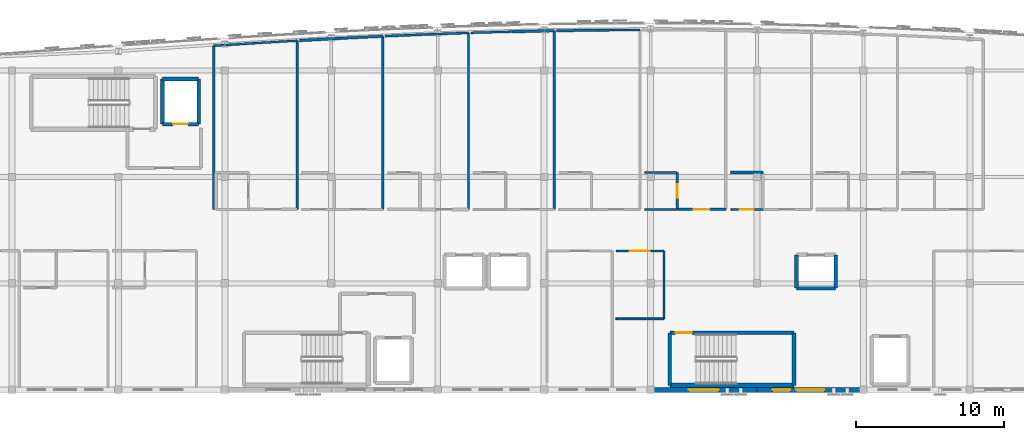
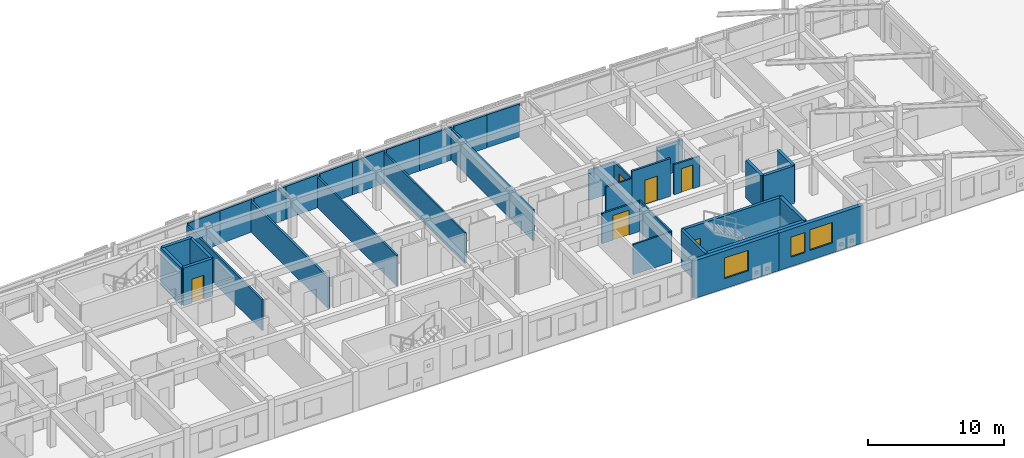
# One storey, part 29 of 34: 37 walls, 6 doors, 3 windows, 9 openings.
"""IFC4 building model written with IfcOpenShell, lengths in metres."""

from ifc_helpers import new_model, si_unit, direction, frame, frame_2d, origin, place, context, subcontext, project, spatial, rectangle, extrude, material, layer, layer_set, type_object, element, fill, save


model = new_model("IFC4")

# Units and contexts
model_context = context("Model", 3, precision=1e-05, world=origin(), true_north=direction((0.0, 1.0)))
body_context = subcontext(model_context, "Body", "Model", "MODEL_VIEW")
ifc_project = project(units=[si_unit("LENGTHUNIT", "METRE"), si_unit("AREAUNIT", "SQUARE_METRE"), si_unit("VOLUMEUNIT", "CUBIC_METRE"), si_unit("PLANEANGLEUNIT", "RADIAN"), si_unit("MASSUNIT", "GRAM", prefix="KILO")], contexts=[model_context])

# Site, building, storey
site_placement = place(None, origin())
site = spatial("IfcSite", under=ifc_project, at=site_placement, CompositionType="ELEMENT")
building_placement = place(site_placement, origin())
building = spatial("IfcBuilding", under=site, at=building_placement, Name="Carrowvane Square Congress Hotel", CompositionType="ELEMENT")
storey_placement = place(building_placement, frame((0.0, 0.0, 40.800048828125)))
storey = spatial("IfcBuildingStorey", under=building, at=storey_placement, Name="L10", CompositionType="ELEMENT", Elevation=40.800048828125)

# Wall, openings, windows
ifc_material_1 = material(Name="Glazed terracotta rainscreen", Category="masonry")
ifc_layer_1 = layer(ifc_material_1, 0.330078125)
ifc_layer_set_1 = layer_set([ifc_layer_1], Name="Glazed terracotta rainscreen")
wall_type_1 = type_object("IfcWallType", Name="WL-EXT-TC330", PredefinedType="STANDARD", material=ifc_layer_set_1)
wall_1_placement = place(storey_placement, frame((112.39990234375, 91.800048828125, 0.0), z_axis=(0.0, 0.0, 1.0), x_axis=(-1.0, 0.0, 0.0)))
wall_1 = element("IfcWall", 1, at=wall_1_placement, inside=storey, type_object=wall_type_1, Name="L10 exterior facade wall 590", PredefinedType="STANDARD", context=body_context, shape_type="SweptSolid", body=[
    extrude(rectangle(XDim=7.199951171875, YDim=0.330078125, at=frame_2d((3.60009765625, 0.0))), origin(), (0.0, 0.0, 1.0), 3.3798828125),
])
opening_1_placement = place(wall_1_placement, frame((2.64990234375, 0.0, 0.89990234375)))
opening_1 = element("IfcOpeningElement", 2, at=opening_1_placement, cuts=wall_1, Name="Opening W-25", PredefinedType="OPENING", context=body_context, shape_type="SweptSolid", body=[
    extrude(rectangle(XDim=1.89990234375, YDim=1.85009765625, at=frame_2d((0.949951171875, 0.925048828125))), frame((0.0, 0.175048828125, 0.0), z_axis=(0.0, -1.0, 0.0), x_axis=(1.0, 0.0, 0.0)), (0.0, 0.0, 1.0), 0.35009765625),
])
opening_2_placement = place(wall_1_placement, frame((4.949951171875, 0.0, 0.85009765625)))
opening_2 = element("IfcOpeningElement", 3, at=opening_2_placement, cuts=wall_1, Name="Opening W-01", PredefinedType="OPENING", context=body_context, shape_type="SweptSolid", body=[
    extrude(rectangle(XDim=1.199951171875, YDim=1.800048828125, at=frame_2d((0.60009765625, 0.89990234375))), frame((0.0, 0.175048828125, 0.0), z_axis=(0.0, -1.0, 0.0), x_axis=(1.0, 0.0, 0.0)), (0.0, 0.0, 1.0), 0.35009765625),
])
ifc_material_2 = material(Name="Double-glazed low-E glass", Category="glass")
window_type_1 = type_object("IfcWindowType", Name="WIN-01", PartitioningType="SINGLE_PANEL", PredefinedType="WINDOW", material=ifc_material_2)
window_1_placement = place(opening_2_placement, origin())
window_1 = element("IfcWindow", 4, at=window_1_placement, inside=storey, type_object=window_type_1, Name="L10 guest bedroom window 465", OverallHeight=1.800048828125, OverallWidth=1.199951171875, PartitioningType="SINGLE_PANEL", PredefinedType="WINDOW", context=body_context, shape_type="SweptSolid", body=[
    extrude(rectangle(XDim=1.199951171875, YDim=1.800048828125, at=frame_2d((0.60009765625, 0.89990234375))), frame((0.0, 0.030029296875, 0.0), z_axis=(0.0, -1.0, 0.0), x_axis=(1.0, 0.0, 0.0)), (0.0, 0.0, 1.0), 0.06005859375),
])
fill(opening_2, window_1)
ifc_material_3 = material(Name="Double-glazed low-E glass", Category="glass")
window_type_2 = type_object("IfcWindowType", Name="WIN-25", PartitioningType="SINGLE_PANEL", PredefinedType="WINDOW", material=ifc_material_3)
window_2_placement = place(opening_1_placement, origin())
window_2 = element("IfcWindow", 5, at=window_2_placement, inside=storey, type_object=window_type_2, Name="L10 facade window 464", OverallHeight=1.85009765625, OverallWidth=1.89990234375, PartitioningType="SINGLE_PANEL", PredefinedType="WINDOW", context=body_context, shape_type="SweptSolid", body=[
    extrude(rectangle(XDim=1.89990234375, YDim=1.85009765625, at=frame_2d((0.949951171875, 0.925048828125))), frame((0.0, 0.030029296875, 0.0), z_axis=(0.0, -1.0, 0.0), x_axis=(1.0, 0.0, 0.0)), (0.0, 0.0, 1.0), 0.06005859375),
])
fill(opening_1, window_2)

# Wall, opening, window
wall_2_placement = place(storey_placement, frame((105.199951171875, 91.800048828125, 0.0), z_axis=(0.0, 0.0, 1.0), x_axis=(-1.0, 0.0, 0.0)))
wall_2 = element("IfcWall", 6, at=wall_2_placement, inside=storey, type_object=wall_type_1, Name="L10 exterior facade wall 591", PredefinedType="STANDARD", context=body_context, shape_type="SweptSolid", body=[
    extrude(rectangle(XDim=7.199951171875, YDim=0.330078125, at=frame_2d((3.60009765625, 0.0))), origin(), (0.0, 0.0, 1.0), 3.3798828125),
])
opening_3_placement = place(wall_2_placement, frame((2.574951171875, 0.0, 0.89990234375)))
opening_3 = element("IfcOpeningElement", 7, at=opening_3_placement, cuts=wall_2, Name="Opening W-26", PredefinedType="OPENING", context=body_context, shape_type="SweptSolid", body=[
    extrude(rectangle(XDim=2.050048828125, YDim=1.85009765625, at=frame_2d((1.02490234375, 0.925048828125))), frame((0.0, 0.175048828125, 0.0), z_axis=(0.0, -1.0, 0.0), x_axis=(1.0, 0.0, 0.0)), (0.0, 0.0, 1.0), 0.35009765625),
])
ifc_material_4 = material(Name="Double-glazed low-E glass", Category="glass")
window_type_3 = type_object("IfcWindowType", Name="WIN-26", PartitioningType="SINGLE_PANEL", PredefinedType="WINDOW", material=ifc_material_4)
window_3_placement = place(opening_3_placement, origin())
window_3 = element("IfcWindow", 8, at=window_3_placement, inside=storey, type_object=window_type_3, Name="L10 facade window 466", OverallHeight=1.85009765625, OverallWidth=2.050048828125, PartitioningType="SINGLE_PANEL", PredefinedType="WINDOW", context=body_context, shape_type="SweptSolid", body=[
    extrude(rectangle(XDim=2.050048828125, YDim=1.85009765625, at=frame_2d((1.02490234375, 0.925048828125))), frame((0.0, 0.030029296875, 0.0), z_axis=(0.0, -1.0, 0.0), x_axis=(1.0, 0.0, 0.0)), (0.0, 0.0, 1.0), 0.06005859375),
])
fill(opening_3, window_3)

# Walls
ifc_material_5 = material(Name="Acoustic gypsum board", Category="gypsum")
ifc_layer_2 = layer(ifc_material_5, 0.155029296875)
ifc_layer_set_2 = layer_set([ifc_layer_2], Name="Acoustic gypsum board")
wall_type_2 = type_object("IfcWallType", Name="WL-FIR-155", PredefinedType="PARTITIONING", material=ifc_layer_set_2)
wall_3_placement = place(storey_placement, frame((68.449951171875, 104.0, 0.0), z_axis=(0.0, 0.0, 1.0), x_axis=(0.0, 1.0, 0.0)))
element("IfcWall", 9, at=wall_3_placement, inside=storey, type_object=wall_type_2, Name="L10 Parkview Suite 1008 partition", PredefinedType="PARTITIONING", context=body_context, shape_type="SweptSolid", body=[
    extrude(rectangle(XDim=11.0751953125, YDim=0.155029296875, at=frame_2d((5.53759765625, 0.0))), origin(), (0.0, 0.0, 1.0), 2.764892578125),
])
wall_4_placement = place(storey_placement, frame((79.889892578125, 115.718017578125, 0.0), z_axis=(0.0, 0.0, 1.0), x_axis=(0.0, -1.0, 0.0)))
element("IfcWall", 10, at=wall_4_placement, inside=storey, type_object=wall_type_2, Name="L10 Parkview Suite 1009 partition", PredefinedType="PARTITIONING", context=body_context, shape_type="SweptSolid", body=[
    extrude(rectangle(XDim=11.718017578125, YDim=0.155029296875, at=frame_2d((5.85888671875, 0.0))), origin(), (0.0, 0.0, 1.0), 2.764892578125),
])
wall_5_placement = place(storey_placement, frame((80.050048828125, 115.725341796875, 0.0), z_axis=(0.0, 0.0, 1.0), x_axis=(0.999105118999, 0.042296113167, 0.0)))
element("IfcWall", 11, at=wall_5_placement, inside=storey, type_object=wall_type_2, Name="L10 Parkview Suite 1010 partition", PredefinedType="PARTITIONING", context=body_context, shape_type="SweptSolid", body=[
    extrude(rectangle(XDim=2.822509765625, YDim=0.155029296875, at=frame_2d((1.4111328125, 0.0))), origin(), (0.0, 0.0, 1.0), 2.95556640625),
])
wall_6_placement = place(storey_placement, frame((94.469970703125, 116.131103515625, 0.0), z_axis=(0.0, 0.0, 1.0), x_axis=(0.999982672441, 0.00588683419, 0.0)))
element("IfcWall", 12, at=wall_6_placement, inside=storey, type_object=wall_type_2, Name="L10 Parkview Suite 1012 partition", PredefinedType="PARTITIONING", context=body_context, shape_type="SweptSolid", body=[
    extrude(rectangle(XDim=2.820068359375, YDim=0.155029296875, at=frame_2d((1.41015625, 0.0))), origin(), (0.0, 0.0, 1.0), 2.95556640625),
])
wall_7_placement = place(storey_placement, frame((97.60009765625, 106.5, 0.0), z_axis=(0.0, 0.0, 1.0), x_axis=(1.0, 0.0, 0.0)))
element("IfcWall", 13, at=wall_7_placement, inside=storey, type_object=wall_type_2, Name="L10 En-suite Bathroom 1013 partition", PredefinedType="PARTITIONING", context=body_context, shape_type="SweptSolid", body=[
    extrude(rectangle(XDim=2.199951171875, YDim=0.155029296875, at=frame_2d((1.10009765625, 0.0))), origin(), (0.0, 0.0, 1.0), 2.71484375),
])

# Wall, opening, door
wall_8_placement = place(storey_placement, frame((105.60009765625, 104.0, 0.0), z_axis=(0.0, 0.0, 1.0), x_axis=(-1.0, 0.0, 0.0)))
wall_8 = element("IfcWall", 14, at=wall_8_placement, inside=storey, type_object=wall_type_2, Name="L10 En-suite Bathroom 1014 partition", PredefinedType="PARTITIONING", context=body_context, shape_type="SweptSolid", body=[
    extrude(rectangle(XDim=2.2001953125, YDim=0.155029296875, at=frame_2d((1.10009765625, 0.0))), origin(), (0.0, 0.0, 1.0), 2.71484375),
])
opening_4_placement = place(wall_8_placement, frame((0.6201171875, 0.0, 0.0)))
opening_4 = element("IfcOpeningElement", 15, at=opening_4_placement, cuts=wall_8, Name="Opening ID-05", PredefinedType="OPENING", context=body_context, shape_type="SweptSolid", body=[
    extrude(rectangle(XDim=0.9599609375, YDim=2.139892578125, at=frame_2d((0.47998046875, 1.06982421875))), frame((0.0, 0.08740234375, 0.0), z_axis=(0.0, -1.0, 0.0), x_axis=(1.0, 0.0, 0.0)), (0.0, 0.0, 1.0), 0.175048828125),
])
ifc_material_6 = material(Name="European oak timber", Category="wood")
door_type_1 = type_object("IfcDoorType", Name="DR-INT-0960x2140", OperationType="NOTDEFINED", PredefinedType="DOOR", material=ifc_material_6)
door_1_placement = place(opening_4_placement, origin())
door_1 = element("IfcDoor", 16, at=door_1_placement, inside=storey, type_object=door_type_1, Name="L10 En-suite Bathroom 1014 door", OperationType="SINGLE_SWING_RIGHT", OverallHeight=2.139892578125, OverallWidth=0.9599609375, PredefinedType="DOOR", context=body_context, shape_type="SweptSolid", body=[
    extrude(rectangle(XDim=0.9599609375, YDim=2.139892578125, at=frame_2d((0.47998046875, 1.06982421875))), frame((0.0, 0.02490234375, 0.0), z_axis=(0.0, -1.0, 0.0), x_axis=(1.0, 0.0, 0.0)), (0.0, 0.0, 1.0), 0.050048828125),
])
fill(opening_4, door_1)

# Walls
ifc_material_7 = material(Name="Acoustic gypsum board", Category="gypsum")
ifc_layer_3 = layer(ifc_material_7, 0.169921875)
ifc_layer_set_3 = layer_set([ifc_layer_3], Name="Acoustic gypsum board")
wall_type_3 = type_object("IfcWallType", Name="WL-FIR-170", PredefinedType="PARTITIONING", material=ifc_layer_set_3)
wall_9_placement = place(storey_placement, frame((77.070068359375, 115.581298828125, 0.0), z_axis=(0.0, 0.0, 1.0), x_axis=(0.998826677996, 0.048427960145, 0.0)))
element("IfcWall", 17, at=wall_9_placement, inside=storey, type_object=wall_type_3, Name="L10 Parkview Suite 1009 partition", PredefinedType="PARTITIONING", context=body_context, shape_type="SweptSolid", body=[
    extrude(rectangle(XDim=2.8232421875, YDim=0.169921875, at=frame_2d((1.41162109375, 0.0))), origin(), (0.0, 0.0, 1.0), 2.95556640625),
])
wall_10_placement = place(storey_placement, frame((91.489990234375, 116.0908203125, 0.0), z_axis=(0.0, 0.0, 1.0), x_axis=(0.0, -1.0, 0.0)))
element("IfcWall", 18, at=wall_10_placement, inside=storey, type_object=wall_type_3, Name="L10 Parkview Suite 1011 partition", PredefinedType="PARTITIONING", context=body_context, shape_type="SweptSolid", body=[
    extrude(rectangle(XDim=12.0908203125, YDim=0.169921875, at=frame_2d((6.04541015625, 0.0))), origin(), (0.0, 0.0, 1.0), 2.764892578125),
])
wall_11_placement = place(storey_placement, frame((91.64990234375, 116.093505859375, 0.0), z_axis=(0.0, 0.0, 1.0), x_axis=(0.999911138347, 0.013330994313, 0.0)))
element("IfcWall", 19, at=wall_11_placement, inside=storey, type_object=wall_type_3, Name="L10 Parkview Suite 1012 partition", PredefinedType="PARTITIONING", context=body_context, shape_type="SweptSolid", body=[
    extrude(rectangle(XDim=2.8203125, YDim=0.169921875, at=frame_2d((1.41015625, 0.0))), origin(), (0.0, 0.0, 1.0), 2.95556640625),
])

# Wall, opening, door
wall_12_placement = place(storey_placement, frame((103.090087890625, 104.0, 0.0), z_axis=(0.0, 0.0, 1.0), x_axis=(-1.0, 0.0, 0.0)))
wall_12 = element("IfcWall", 20, at=wall_12_placement, inside=storey, type_object=wall_type_3, Name="L10 Parkview Suite 1013 partition", PredefinedType="PARTITIONING", context=body_context, shape_type="SweptSolid", body=[
    extrude(rectangle(XDim=3.280029296875, YDim=0.169921875, at=frame_2d((1.64013671875, 0.0))), origin(), (0.0, 0.0, 1.0), 3.3798828125),
])
opening_5_placement = place(wall_12_placement, frame((1.110107421875, 0.0, 0.0)))
opening_5 = element("IfcOpeningElement", 21, at=opening_5_placement, cuts=wall_12, Name="Opening FD-09", PredefinedType="OPENING", context=body_context, shape_type="SweptSolid", body=[
    extrude(rectangle(XDim=1.06005859375, YDim=2.199951171875, at=frame_2d((0.530029296875, 1.10009765625))), frame((0.0, 0.094970703125, 0.0), z_axis=(0.0, -1.0, 0.0), x_axis=(1.0, 0.0, 0.0)), (0.0, 0.0, 1.0), 0.18994140625),
])
ifc_material_8 = material(Name="European oak timber", Category="wood")
door_type_2 = type_object("IfcDoorType", Name="DR-FD30-1060x2200", OperationType="NOTDEFINED", PredefinedType="DOOR", material=ifc_material_8)
door_2_placement = place(opening_5_placement, origin())
door_2 = element("IfcDoor", 22, at=door_2_placement, inside=storey, type_object=door_type_2, Name="L10 Parkview Suite 1013 entrance door", OperationType="SINGLE_SWING_LEFT", OverallHeight=2.199951171875, OverallWidth=1.06005859375, PredefinedType="DOOR", context=body_context, shape_type="SweptSolid", body=[
    extrude(rectangle(XDim=1.06005859375, YDim=2.199951171875, at=frame_2d((0.530029296875, 1.10009765625))), frame((0.0, 0.02490234375, 0.0), z_axis=(0.0, -1.0, 0.0), x_axis=(1.0, 0.0, 0.0)), (0.0, 0.0, 1.0), 0.050048828125),
])
fill(opening_5, door_2)

# Walls
ifc_material_9 = material(Name="Acoustic gypsum board", Category="gypsum")
ifc_layer_4 = layer(ifc_material_9, 0.18505859375)
ifc_layer_set_4 = layer_set([ifc_layer_4], Name="Acoustic gypsum board")
wall_type_4 = type_object("IfcWallType", Name="WL-FIR-185", PredefinedType="PARTITIONING", material=ifc_layer_set_4)
wall_13_placement = place(storey_placement, frame((74.090087890625, 115.420654296875, 0.0), z_axis=(0.0, 0.0, 1.0), x_axis=(0.0, -1.0, 0.0)))
element("IfcWall", 23, at=wall_13_placement, inside=storey, type_object=wall_type_4, Name="L10 Parkview Suite 1008 partition", PredefinedType="PARTITIONING", context=body_context, shape_type="SweptSolid", body=[
    extrude(rectangle(XDim=11.420654296875, YDim=0.18505859375, at=frame_2d((5.71044921875, 0.0))), origin(), (0.0, 0.0, 1.0), 2.764892578125),
])
wall_14_placement = place(storey_placement, frame((74.25, 115.429443359375, 0.0), z_axis=(0.0, 0.0, 1.0), x_axis=(0.998553333612, 0.053770251364, 0.0)))
element("IfcWall", 24, at=wall_14_placement, inside=storey, type_object=wall_type_4, Name="L10 Parkview Suite 1009 partition", PredefinedType="PARTITIONING", context=body_context, shape_type="SweptSolid", body=[
    extrude(rectangle(XDim=2.82421875, YDim=0.18505859375, at=frame_2d((1.412109375, 0.0))), origin(), (0.0, 0.0, 1.0), 2.95556640625),
])
wall_15_placement = place(storey_placement, frame((88.669921875, 116.03173828125, 0.0), z_axis=(0.0, 0.0, 1.0), x_axis=(0.99978060909, 0.020945970686, 0.0)))
element("IfcWall", 25, at=wall_15_placement, inside=storey, type_object=wall_type_4, Name="L10 Parkview Suite 1011 partition", PredefinedType="PARTITIONING", context=body_context, shape_type="SweptSolid", body=[
    extrude(rectangle(XDim=2.82080078125, YDim=0.18505859375, at=frame_2d((1.410400390625, 0.0))), origin(), (0.0, 0.0, 1.0), 2.95556640625),
])
wall_16_placement = place(storey_placement, frame((103.39990234375, 106.5, 0.0), z_axis=(0.0, 0.0, 1.0), x_axis=(1.0, 0.0, 0.0)))
element("IfcWall", 26, at=wall_16_placement, inside=storey, type_object=wall_type_4, Name="L10 En-suite Bathroom 1014 partition", PredefinedType="PARTITIONING", context=body_context, shape_type="SweptSolid", body=[
    extrude(rectangle(XDim=2.2001953125, YDim=0.18505859375, at=frame_2d((1.10009765625, 0.0))), origin(), (0.0, 0.0, 1.0), 2.71484375),
])
ifc_material_10 = material(Name="Acoustic gypsum board", Category="gypsum")
ifc_layer_5 = layer(ifc_material_10, 0.1279296875)
ifc_layer_set_5 = layer_set([ifc_layer_5], Name="Acoustic gypsum board")
wall_type_5 = type_object("IfcWallType", Name="WL-PRT-128", PredefinedType="PARTITIONING", material=ifc_layer_set_5)
wall_17_placement = place(storey_placement, frame((98.89990234375, 96.60009765625, 0.0), z_axis=(0.0, 0.0, 1.0), x_axis=(-1.0, 0.0, 0.0)))
element("IfcWall", 27, at=wall_17_placement, inside=storey, type_object=wall_type_5, Name="L10 L10 Accessible Guest WC partition", PredefinedType="PARTITIONING", context=body_context, shape_type="SweptSolid", body=[
    extrude(rectangle(XDim=3.25, YDim=0.1279296875, at=frame_2d((1.625, 0.0))), origin(), (0.0, 0.0, 1.0), 2.71484375),
])
ifc_material_11 = material(Name="Acoustic gypsum board", Category="gypsum")
ifc_layer_6 = layer(ifc_material_11, 0.137939453125)
ifc_layer_set_6 = layer_set([ifc_layer_6], Name="Acoustic gypsum board")
wall_type_6 = type_object("IfcWallType", Name="WL-PRT-138", PredefinedType="PARTITIONING", material=ifc_layer_set_6)
wall_18_placement = place(storey_placement, frame((98.89990234375, 101.199951171875, 0.0), z_axis=(0.0, 0.0, 1.0), x_axis=(0.0, -1.0, 0.0)))
element("IfcWall", 28, at=wall_18_placement, inside=storey, type_object=wall_type_6, Name="L10 L10 Accessible Guest WC partition", PredefinedType="PARTITIONING", context=body_context, shape_type="SweptSolid", body=[
    extrude(rectangle(XDim=4.599853515625, YDim=0.137939453125, at=frame_2d((2.2998046875, 0.0))), origin(), (0.0, 0.0, 1.0), 2.764892578125),
])
wall_19_placement = place(storey_placement, frame((71.27001953125, 115.253662109375, 0.0), z_axis=(0.0, 0.0, 1.0), x_axis=(0.998251350639, 0.059112104912, 0.0)))
element("IfcWall", 29, at=wall_19_placement, inside=storey, type_object=wall_type_6, Name="L10 Parkview Suite 1008 partition", PredefinedType="PARTITIONING", context=body_context, shape_type="SweptSolid", body=[
    extrude(rectangle(XDim=2.824951171875, YDim=0.137939453125, at=frame_2d((1.41259765625, 0.0))), origin(), (0.0, 0.0, 1.0), 2.95556640625),
])
wall_20_placement = place(storey_placement, frame((85.68994140625, 115.9462890625, 0.0), z_axis=(0.0, 0.0, 1.0), x_axis=(0.0, -1.0, 0.0)))
element("IfcWall", 30, at=wall_20_placement, inside=storey, type_object=wall_type_6, Name="L10 Parkview Suite 1010 partition", PredefinedType="PARTITIONING", context=body_context, shape_type="SweptSolid", body=[
    extrude(rectangle(XDim=11.9462890625, YDim=0.137939453125, at=frame_2d((5.97314453125, 0.0))), origin(), (0.0, 0.0, 1.0), 2.764892578125),
])
wall_21_placement = place(storey_placement, frame((85.85009765625, 115.95166015625, 0.0), z_axis=(0.0, 0.0, 1.0), x_axis=(0.999597012905, 0.028386824263, 0.0)))
element("IfcWall", 31, at=wall_21_placement, inside=storey, type_object=wall_type_6, Name="L10 Parkview Suite 1011 partition", PredefinedType="PARTITIONING", context=body_context, shape_type="SweptSolid", body=[
    extrude(rectangle(XDim=2.821044921875, YDim=0.137939453125, at=frame_2d((1.41064453125, 0.0))), origin(), (0.0, 0.0, 1.0), 2.95556640625),
])
wall_22_placement = place(storey_placement, frame((99.800048828125, 104.0, 0.0), z_axis=(0.0, 0.0, 1.0), x_axis=(-1.0, 0.0, 0.0)))
element("IfcWall", 32, at=wall_22_placement, inside=storey, type_object=wall_type_6, Name="L10 En-suite Bathroom 1013 partition", PredefinedType="PARTITIONING", context=body_context, shape_type="SweptSolid", body=[
    extrude(rectangle(XDim=2.199951171875, YDim=0.137939453125, at=frame_2d((1.10009765625, 0.0))), origin(), (0.0, 0.0, 1.0), 2.71484375),
])

# Wall, opening, door
ifc_material_12 = material(Name="Acoustic gypsum board", Category="gypsum")
ifc_layer_7 = layer(ifc_material_12, 0.14794921875)
ifc_layer_set_7 = layer_set([ifc_layer_7], Name="Acoustic gypsum board")
wall_type_7 = type_object("IfcWallType", Name="WL-PRT-148", PredefinedType="PARTITIONING", material=ifc_layer_set_7)
wall_23_placement = place(storey_placement, frame((95.64990234375, 101.199951171875, 0.0), z_axis=(0.0, 0.0, 1.0), x_axis=(1.0, 0.0, 0.0)))
wall_23 = element("IfcWall", 33, at=wall_23_placement, inside=storey, type_object=wall_type_7, Name="L10 L10 Accessible Guest WC partition", PredefinedType="PARTITIONING", context=body_context, shape_type="SweptSolid", body=[
    extrude(rectangle(XDim=3.25, YDim=0.14794921875, at=frame_2d((1.625, 0.0))), origin(), (0.0, 0.0, 1.0), 2.71484375),
])
opening_6_placement = place(wall_23_placement, frame((0.945068359375, 0.0, 0.0)))
opening_6 = element("IfcOpeningElement", 34, at=opening_6_placement, cuts=wall_23, Name="Opening ID-25", PredefinedType="OPENING", context=body_context, shape_type="SweptSolid", body=[
    extrude(rectangle(XDim=1.360107421875, YDim=2.219970703125, at=frame_2d((0.68017578125, 1.10986328125))), frame((0.0, 0.083984375, 0.0), z_axis=(0.0, -1.0, 0.0), x_axis=(1.0, 0.0, 0.0)), (0.0, 0.0, 1.0), 0.16796875),
])
ifc_material_13 = material(Name="European oak timber", Category="wood")
door_type_3 = type_object("IfcDoorType", Name="DR-INT-1360x2220", OperationType="DOUBLE_DOOR_SINGLE_SWING", PredefinedType="DOOR", material=ifc_material_13)
door_3_placement = place(opening_6_placement, origin())
door_3 = element("IfcDoor", 35, at=door_3_placement, inside=storey, type_object=door_type_3, Name="L10 L10 Accessible Guest WC entrance door", OperationType="DOUBLE_DOOR_SINGLE_SWING", OverallHeight=2.219970703125, OverallWidth=1.360107421875, PredefinedType="DOOR", context=body_context, shape_type="SweptSolid", body=[
    extrude(rectangle(XDim=1.360107421875, YDim=2.219970703125, at=frame_2d((0.68017578125, 1.10986328125))), frame((0.0, 0.02490234375, 0.0), z_axis=(0.0, -1.0, 0.0), x_axis=(1.0, 0.0, 0.0)), (0.0, 0.0, 1.0), 0.050048828125),
])
fill(opening_6, door_3)

# Walls
wall_24_placement = place(storey_placement, frame((68.449951171875, 115.0751953125, 0.0), z_axis=(0.0, 0.0, 1.0), x_axis=(0.998003526786, 0.06315821817, 0.0)))
element("IfcWall", 36, at=wall_24_placement, inside=storey, type_object=wall_type_7, Name="L10 Parkview Suite 1008 partition", PredefinedType="PARTITIONING", context=body_context, shape_type="SweptSolid", body=[
    extrude(rectangle(XDim=2.82568359375, YDim=0.14794921875, at=frame_2d((1.412841796875, 0.0))), origin(), (0.0, 0.0, 1.0), 2.95556640625),
])
wall_25_placement = place(storey_placement, frame((82.8701171875, 115.8447265625, 0.0), z_axis=(0.0, 0.0, 1.0), x_axis=(0.999352006861, 0.035993977044, 0.0)))
element("IfcWall", 37, at=wall_25_placement, inside=storey, type_object=wall_type_7, Name="L10 Parkview Suite 1010 partition", PredefinedType="PARTITIONING", context=body_context, shape_type="SweptSolid", body=[
    extrude(rectangle(XDim=2.821533203125, YDim=0.14794921875, at=frame_2d((1.41064453125, 0.0))), origin(), (0.0, 0.0, 1.0), 2.95556640625),
])

# Wall, opening, door
wall_26_placement = place(storey_placement, frame((99.800048828125, 106.5, 0.0), z_axis=(0.0, 0.0, 1.0), x_axis=(0.0, -1.0, 0.0)))
wall_26 = element("IfcWall", 38, at=wall_26_placement, inside=storey, type_object=wall_type_7, Name="L10 En-suite Bathroom 1013 partition", PredefinedType="PARTITIONING", context=body_context, shape_type="SweptSolid", body=[
    extrude(rectangle(XDim=2.5, YDim=0.14794921875, at=frame_2d((1.25, 0.0))), origin(), (0.0, 0.0, 1.0), 2.764892578125),
])
opening_7_placement = place(wall_26_placement, frame((0.7900390625, 0.0, 0.0)))
opening_7 = element("IfcOpeningElement", 39, at=opening_7_placement, cuts=wall_26, Name="Opening ID-03", PredefinedType="OPENING", context=body_context, shape_type="SweptSolid", body=[
    extrude(rectangle(XDim=0.919921875, YDim=2.10009765625, at=frame_2d((0.4599609375, 1.050048828125))), frame((0.0, 0.083984375, 0.0), z_axis=(0.0, -1.0, 0.0), x_axis=(1.0, 0.0, 0.0)), (0.0, 0.0, 1.0), 0.16796875),
])
ifc_material_14 = material(Name="European oak timber", Category="wood")
door_type_4 = type_object("IfcDoorType", Name="DR-INT-0920x2100", OperationType="NOTDEFINED", PredefinedType="DOOR", material=ifc_material_14)
door_4_placement = place(opening_7_placement, origin())
door_4 = element("IfcDoor", 40, at=door_4_placement, inside=storey, type_object=door_type_4, Name="L10 En-suite Bathroom 1013 door", OperationType="SINGLE_SWING_RIGHT", OverallHeight=2.10009765625, OverallWidth=0.919921875, PredefinedType="DOOR", context=body_context, shape_type="SweptSolid", body=[
    extrude(rectangle(XDim=0.919921875, YDim=2.10009765625, at=frame_2d((0.4599609375, 1.050048828125))), frame((0.0, 0.02490234375, 0.0), z_axis=(0.0, -1.0, 0.0), x_axis=(1.0, 0.0, 0.0)), (0.0, 0.0, 1.0), 0.050048828125),
])
fill(opening_7, door_4)

# Wall
ifc_material_15 = material(Name="Concrete C40/50", Category="concrete")
ifc_layer_8 = layer(ifc_material_15, 0.22509765625)
ifc_layer_set_8 = layer_set([ifc_layer_8], Name="Concrete C40/50")
wall_type_8 = type_object("IfcWallType", Name="WL-SHR-225", PredefinedType="SHEAR", material=ifc_layer_set_8)
wall_27_placement = place(storey_placement, frame((99.300048828125, 95.659912109375, 0.0), z_axis=(0.0, 0.0, 1.0), x_axis=(0.0, -1.0, 0.0)))
element("IfcWall", 41, at=wall_27_placement, inside=storey, type_object=wall_type_8, Name="L10 ST3 core wall west", PredefinedType="SHEAR", context=body_context, shape_type="SweptSolid", body=[
    extrude(rectangle(XDim=3.559814453125, YDim=0.22509765625, at=frame_2d((1.77978515625, 0.0))), origin(), (0.0, 0.0, 1.0), 3.3798828125),
])

# Wall, opening, door
ifc_material_16 = material(Name="Concrete C40/50", Category="concrete")
ifc_layer_9 = layer(ifc_material_16, 0.25)
ifc_layer_set_9 = layer_set([ifc_layer_9], Name="Concrete C40/50")
wall_type_9 = type_object("IfcWallType", Name="WL-SHR-250", PredefinedType="SHEAR", material=ifc_layer_set_9)
wall_28_placement = place(storey_placement, frame((107.699951171875, 95.659912109375, 0.0), z_axis=(0.0, 0.0, 1.0), x_axis=(-1.0, 0.0, 0.0)))
wall_28 = element("IfcWall", 42, at=wall_28_placement, inside=storey, type_object=wall_type_9, Name="L10 ST3 core wall north", PredefinedType="SHEAR", context=body_context, shape_type="SweptSolid", body=[
    extrude(rectangle(XDim=8.39990234375, YDim=0.25, at=frame_2d((4.199951171875, 0.0))), origin(), (0.0, 0.0, 1.0), 3.3798828125),
])
opening_8_placement = place(wall_28_placement, frame((6.909912109375, 0.0, 0.0)))
opening_8 = element("IfcOpeningElement", 43, at=opening_8_placement, cuts=wall_28, Name="Opening FD-01", PredefinedType="OPENING", context=body_context, shape_type="SweptSolid", body=[
    extrude(rectangle(XDim=1.10009765625, YDim=2.10009765625, at=frame_2d((0.550048828125, 1.050048828125))), frame((0.0, 0.135009765625, 0.0), z_axis=(0.0, -1.0, 0.0), x_axis=(1.0, 0.0, 0.0)), (0.0, 0.0, 1.0), 0.27001953125),
])
ifc_material_17 = material(Name="European oak timber", Category="wood")
door_type_5 = type_object("IfcDoorType", Name="DR-FD60-1100x2100", OperationType="NOTDEFINED", PredefinedType="DOOR", material=ifc_material_17)
door_5_placement = place(opening_8_placement, origin())
door_5 = element("IfcDoor", 44, at=door_5_placement, inside=storey, type_object=door_type_5, Name="L10 ST3 fire door", OperationType="SINGLE_SWING_RIGHT", OverallHeight=2.10009765625, OverallWidth=1.10009765625, PredefinedType="DOOR", context=body_context, shape_type="SweptSolid", body=[
    extrude(rectangle(XDim=1.10009765625, YDim=2.10009765625, at=frame_2d((0.550048828125, 1.050048828125))), frame((0.0, 0.02490234375, 0.0), z_axis=(0.0, -1.0, 0.0), x_axis=(1.0, 0.0, 0.0)), (0.0, 0.0, 1.0), 0.050048828125),
])
fill(opening_8, door_5)

wall_29_placement = place(storey_placement, frame((64.97509765625, 109.77490234375, 0.0), z_axis=(0.0, 0.0, 1.0), x_axis=(1.0, 0.0, 0.0)))
wall_29 = element("IfcWall", 45, at=wall_29_placement, inside=storey, type_object=wall_type_9, Name="L10 FFL-1 shaft wall south", PredefinedType="SHEAR", context=body_context, shape_type="SweptSolid", body=[
    extrude(rectangle(XDim=2.449951171875, YDim=0.25, at=frame_2d((1.22509765625, 0.0))), origin(), (0.0, 0.0, 1.0), 3.3798828125),
])
opening_9_placement = place(wall_29_placement, frame((0.72509765625, 0.0, 0.0)))
opening_9 = element("IfcOpeningElement", 46, at=opening_9_placement, cuts=wall_29, Name="Opening LD-FFL-1", PredefinedType="OPENING", context=body_context, shape_type="SweptSolid", body=[
    extrude(rectangle(XDim=1.0, YDim=2.14990234375, at=frame_2d((0.5, 1.074951171875))), frame((0.0, 0.135009765625, 0.0), z_axis=(0.0, -1.0, 0.0), x_axis=(1.0, 0.0, 0.0)), (0.0, 0.0, 1.0), 0.27001953125),
])
ifc_material_18 = material(Name="Stainless steel 316", Category="steel")
door_type_6 = type_object("IfcDoorType", Name="DR-LD-1000x2150", OperationType="DOUBLE_DOOR_SLIDING", PredefinedType="DOOR", material=ifc_material_18)
door_6_placement = place(opening_9_placement, origin())
door_6 = element("IfcDoor", 47, at=door_6_placement, inside=storey, type_object=door_type_6, Name="L10 FFL-1 sliding lift landing door", OperationType="DOUBLE_DOOR_SLIDING", OverallHeight=2.14990234375, OverallWidth=1.0, PredefinedType="DOOR", context=body_context, shape_type="SweptSolid", body=[
    extrude(rectangle(XDim=1.0, YDim=2.14990234375, at=frame_2d((0.5, 1.074951171875))), frame((0.0, 0.02490234375, 0.0), z_axis=(0.0, -1.0, 0.0), x_axis=(1.0, 0.0, 0.0)), (0.0, 0.0, 1.0), 0.050048828125),
])
fill(opening_9, door_6)

# Walls
wall_30_placement = place(storey_placement, frame((67.425048828125, 109.77490234375, 0.0), z_axis=(0.0, 0.0, 1.0), x_axis=(0.0, 1.0, 0.0)))
element("IfcWall", 48, at=wall_30_placement, inside=storey, type_object=wall_type_9, Name="L10 FFL-1 shaft wall east", PredefinedType="SHEAR", context=body_context, shape_type="SweptSolid", body=[
    extrude(rectangle(XDim=3.050048828125, YDim=0.25, at=frame_2d((1.52490234375, 0.0))), origin(), (0.0, 0.0, 1.0), 3.3798828125),
])
wall_31_placement = place(storey_placement, frame((67.425048828125, 112.824951171875, 0.0), z_axis=(0.0, 0.0, 1.0), x_axis=(-1.0, 0.0, 0.0)))
element("IfcWall", 49, at=wall_31_placement, inside=storey, type_object=wall_type_9, Name="L10 FFL-1 shaft wall north", PredefinedType="SHEAR", context=body_context, shape_type="SweptSolid", body=[
    extrude(rectangle(XDim=2.449951171875, YDim=0.25, at=frame_2d((1.22509765625, 0.0))), origin(), (0.0, 0.0, 1.0), 3.3798828125),
])
wall_32_placement = place(storey_placement, frame((64.97509765625, 112.824951171875, 0.0), z_axis=(0.0, 0.0, 1.0), x_axis=(0.0, -1.0, 0.0)))
element("IfcWall", 50, at=wall_32_placement, inside=storey, type_object=wall_type_9, Name="L10 FFL-1 shaft wall west", PredefinedType="SHEAR", context=body_context, shape_type="SweptSolid", body=[
    extrude(rectangle(XDim=3.050048828125, YDim=0.25, at=frame_2d((1.52490234375, 0.0))), origin(), (0.0, 0.0, 1.0), 3.3798828125),
])
wall_33_placement = place(storey_placement, frame((107.875, 98.675048828125, 0.0), z_axis=(0.0, 0.0, 1.0), x_axis=(1.0, 0.0, 0.0)))
element("IfcWall", 51, at=wall_33_placement, inside=storey, type_object=wall_type_9, Name="L10 HL-3 shaft wall south", PredefinedType="SHEAR", context=body_context, shape_type="SweptSolid", body=[
    extrude(rectangle(XDim=2.64990234375, YDim=0.25, at=frame_2d((1.324951171875, 0.0))), origin(), (0.0, 0.0, 1.0), 3.3798828125),
])
for number, where, z_axis, x_axis, name in (
    (52, (110.52490234375, 98.675048828125, 0.0), (0.0, 0.0, 1.0), (0.0, 1.0, 0.0), "L10 HL-3 shaft wall east"),
    (53, (107.875, 100.925048828125, 0.0), (0.0, 0.0, 1.0), (0.0, -1.0, 0.0), "L10 HL-3 shaft wall west"),
):
    element("IfcWall", number, at=place(storey_placement, frame(where, z_axis=z_axis, x_axis=x_axis)), inside=storey, type_object=wall_type_9, Name=name, PredefinedType="SHEAR", context=body_context, shape_type="SweptSolid", body=[
        extrude(rectangle(XDim=2.25, YDim=0.25, at=frame_2d((1.125, 0.0))), origin(), (0.0, 0.0, 1.0), 3.3798828125),
    ])
ifc_material_19 = material(Name="Concrete C40/50", Category="concrete")
ifc_layer_10 = layer(ifc_material_19, 0.27490234375)
ifc_layer_set_10 = layer_set([ifc_layer_10], Name="Concrete C40/50")
wall_type_10 = type_object("IfcWallType", Name="WL-SHR-275", PredefinedType="SHEAR", material=ifc_layer_set_10)
wall_34_placement = place(storey_placement, frame((107.699951171875, 92.10009765625, 0.0), z_axis=(0.0, 0.0, 1.0), x_axis=(0.0, 1.0, 0.0)))
element("IfcWall", 54, at=wall_34_placement, inside=storey, type_object=wall_type_10, Name="L10 ST3 core wall east", PredefinedType="SHEAR", context=body_context, shape_type="SweptSolid", body=[
    extrude(rectangle(XDim=3.559814453125, YDim=0.27490234375, at=frame_2d((1.77978515625, 0.0))), origin(), (0.0, 0.0, 1.0), 3.3798828125),
])
ifc_material_20 = material(Name="Concrete C40/50", Category="concrete")
ifc_layer_11 = layer(ifc_material_20, 0.300048828125)
ifc_layer_set_11 = layer_set([ifc_layer_11], Name="Concrete C40/50")
wall_type_11 = type_object("IfcWallType", Name="WL-SHR-300", PredefinedType="SHEAR", material=ifc_layer_set_11)
wall_35_placement = place(storey_placement, frame((99.300048828125, 92.10009765625, 0.0), z_axis=(0.0, 0.0, 1.0), x_axis=(1.0, 0.0, 0.0)))
element("IfcWall", 55, at=wall_35_placement, inside=storey, type_object=wall_type_11, Name="L10 ST3 core wall south", PredefinedType="SHEAR", context=body_context, shape_type="SweptSolid", body=[
    extrude(rectangle(XDim=8.39990234375, YDim=0.300048828125, at=frame_2d((4.199951171875, 0.0))), origin(), (0.0, 0.0, 1.0), 3.3798828125),
])

save(model, "model.ifc")
